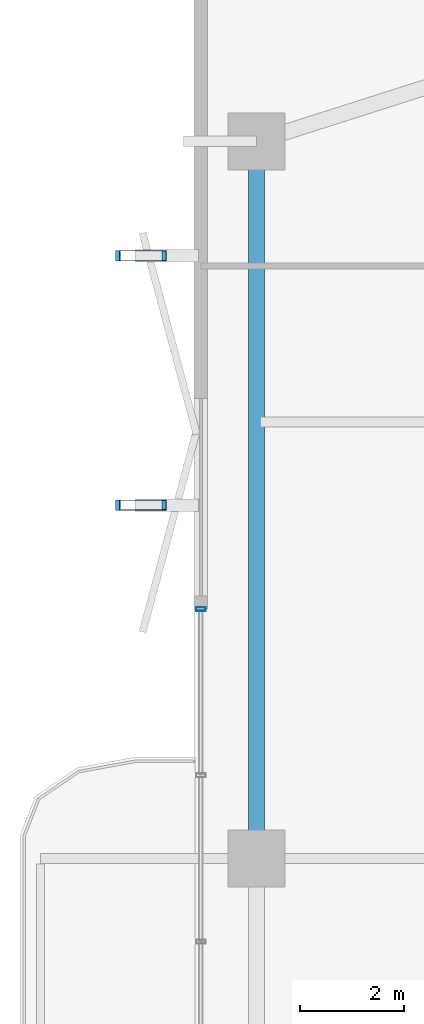
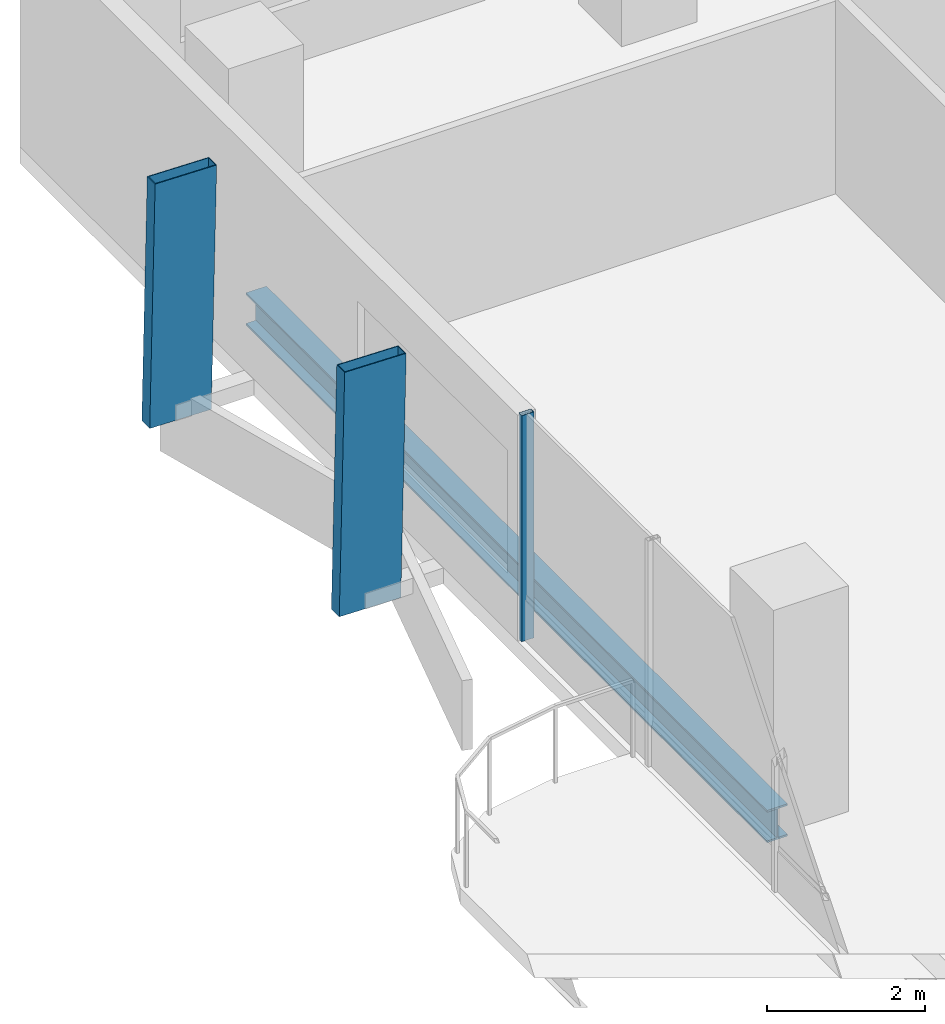
# One storey, part 11 of 24: 3 members, 1 beam, 1 element without a shape of its own.
"""IFC4 building model written with IfcOpenShell, lengths in metres."""

import ifcopenshell
import ifcopenshell.guid

model = None  # the IFC model being written
_history = None  # IfcOwnerHistory: only IFC2X3 demands one
_inside = {}  # id of a spatial element -> (the spatial element, [elements in it])
_under = {}  # id of a project, library or spatial element -> (it, [spatial elements below it])
_declared = {}  # id of a project -> (the project, [libraries it declares])
_typed = {}  # id of a type object -> (the type object, [elements of that type])
_made_of = {}  # id of a material, layer set ... -> (it, [elements and type objects made of it])


def new_model(schema):
    """Start an empty IFC model of exactly this schema.

    Asked for "IFC4X3", IfcOpenShell would pick the latest addendum, in which some entities
    have other attributes; the version numbers below select the first issue.
    IFC2X3 requires an IfcOwnerHistory on every rooted entity: one is made here for all.
    """
    global model, _history
    if schema == "IFC4X3":
        model = ifcopenshell.file(schema_version=(4, 3, 0, 0))
    else:
        model = ifcopenshell.file(schema=schema)
    _inside.clear()
    _under.clear()
    _declared.clear()
    _typed.clear()
    _made_of.clear()
    _history = None
    if model.schema == "IFC2X3":
        org = make("IfcOrganization", Name="unknown")
        user = make(
            "IfcPersonAndOrganization",
            ThePerson=make("IfcPerson", FamilyName="unknown"),
            TheOrganization=org,
        )
        app = make(
            "IfcApplication",
            ApplicationDeveloper=org,
            Version="unknown",
            ApplicationFullName="unknown",
            ApplicationIdentifier="unknown",
        )
        _history = make(
            "IfcOwnerHistory",
            OwningUser=user,
            OwningApplication=app,
            ChangeAction="ADDED",
            CreationDate=0,
        )
    return model


def make(cls, **values):
    """One entity of the class cls with the attributes given. An attribute that is None is left unset."""
    return model.create_entity(
        cls, **{name: value for name, value in values.items() if value is not None}
    )


def rooted(cls, **values):
    """An entity with a GlobalId (a new one), such as an element, a storey or a relation."""
    return make(cls, GlobalId=ifcopenshell.guid.new(), OwnerHistory=_history, **values)


def si_unit(unit_type, name, prefix=None):
    """IfcSIUnit, for example si_unit("LENGTHUNIT", "METRE", prefix="MILLI")."""
    return make("IfcSIUnit", UnitType=unit_type, Prefix=prefix, Name=name)


def assignment(units):
    """IfcUnitAssignment: the units of a project."""
    return None if units is None else make("IfcUnitAssignment", Units=units)


def point(xyz):
    """IfcCartesianPoint."""
    return None if xyz is None else make("IfcCartesianPoint", Coordinates=xyz)


def direction(xyz):
    """IfcDirection."""
    return None if xyz is None else make("IfcDirection", DirectionRatios=xyz)


def frame(location, z_axis=None, x_axis=None):
    """IfcAxis2Placement3D, a coordinate frame: its origin and axes. An axis left out is left unset."""
    return make(
        "IfcAxis2Placement3D",
        Location=point(location),
        Axis=direction(z_axis),
        RefDirection=direction(x_axis),
    )


def frame_2d(location, x_axis=None):
    """IfcAxis2Placement2D, a coordinate frame in the plane: its origin and x axis."""
    return make(
        "IfcAxis2Placement2D", Location=point(location), RefDirection=direction(x_axis)
    )


def origin():
    """The frame at (0, 0, 0) with its axes left unset."""
    return frame((0.0, 0.0, 0.0))


def origin_2d():
    """The frame at (0, 0) in the plane with its x axis left unset."""
    return frame_2d((0.0, 0.0))


def place(relative_to, where):
    """IfcLocalPlacement: puts the frame where relative to a parent placement (None: the world)."""
    return make(
        "IfcLocalPlacement", PlacementRelTo=relative_to, RelativePlacement=where
    )


def context(
    kind, dimensions, precision=None, world=None, true_north=None, identifier=None
):
    """IfcGeometricRepresentationContext, for example the 3D "Model" context."""
    return make(
        "IfcGeometricRepresentationContext",
        ContextIdentifier=identifier,
        ContextType=kind,
        CoordinateSpaceDimension=dimensions,
        Precision=precision,
        WorldCoordinateSystem=world,
        TrueNorth=true_north,
    )


def subcontext(parent, identifier, kind, view, scale=None):
    """IfcGeometricRepresentationSubContext, for example "Body" below "Model"."""
    return make(
        "IfcGeometricRepresentationSubContext",
        ContextIdentifier=identifier,
        ContextType=kind,
        ParentContext=parent,
        TargetScale=scale,
        TargetView=view,
    )


def project(units=None, contexts=None):
    """IfcProject with its units and contexts."""
    return rooted(
        "IfcProject",
        Name="project",
        RepresentationContexts=contexts,
        UnitsInContext=assignment(units),
    )


def spatial(cls, under=None, at=None, **own):
    """A site, building, storey or space (cls), placed at a placement, below another one or the project."""
    s = rooted(cls, ObjectPlacement=at, **own)
    if under is not None:
        _under.setdefault(under.id(), (under, []))[1].append(s)
    return s


def profile(cls, at=None, kind="AREA", **sizes):
    """A parametric profile (cls). Its sizes go by their IFC names, for example OverallWidth=200.0."""
    return make(cls, ProfileType=kind, Position=at, **sizes)


def hollow_rectangle(**sizes):
    """IfcRectangleHollowProfileDef."""
    return profile("IfcRectangleHollowProfileDef", **sizes)


def i_section(**sizes):
    """IfcIShapeProfileDef."""
    return profile("IfcIShapeProfileDef", **sizes)


def extrude(swept, where, along, depth):
    """IfcExtrudedAreaSolid: the profile swept, set in the frame where, extruded along a direction by depth."""
    return make(
        "IfcExtrudedAreaSolid",
        SweptArea=swept,
        Position=where,
        ExtrudedDirection=direction(along),
        Depth=depth,
    )


def shape(context_of_items, identifier, shape_type, items):
    """IfcShapeRepresentation: the items that make up one representation, for example the "Body"."""
    return make(
        "IfcShapeRepresentation",
        ContextOfItems=context_of_items,
        RepresentationIdentifier=identifier,
        RepresentationType=shape_type,
        Items=items,
    )


def material(Name=None, Category=None):
    """IfcMaterial."""
    return make("IfcMaterial", Name=Name, Category=Category)


def layer(
    of_material, thickness, ventilated=None, Name=None, Category=None, Priority=None
):
    """IfcMaterialLayer: one layer of a wall or slab, of a material (None: an air gap)."""
    return make(
        "IfcMaterialLayer",
        Material=of_material,
        LayerThickness=thickness,
        IsVentilated=ventilated,
        Name=Name,
        Category=Category,
        Priority=Priority,
    )


def layer_set(layers, Name=None):
    """IfcMaterialLayerSet."""
    return make("IfcMaterialLayerSet", MaterialLayers=layers, LayerSetName=Name)


def material_profile(
    of_material, cross_section, Name=None, Category=None, Priority=None
):
    """IfcMaterialProfile: a cross section and its material."""
    return make(
        "IfcMaterialProfile",
        Name=Name,
        Material=of_material,
        Profile=cross_section,
        Priority=Priority,
        Category=Category,
    )


def profile_set(profiles, Name=None, composite=None):
    """IfcMaterialProfileSet."""
    return make(
        "IfcMaterialProfileSet",
        Name=Name,
        MaterialProfiles=profiles,
        CompositeProfile=composite,
    )


def made_of(thing, what):
    """Note that an element or type object is made of a material, layer set ...; save() writes the relation."""
    if what is not None:
        _made_of.setdefault(what.id(), (what, []))[1].append(thing)
    return thing


def type_object(cls, material=None, **own):
    """A type object (cls), such as IfcWallType, which elements share."""
    return made_of(rooted(cls, **own), material)


def element(
    cls,
    number,
    at=None,
    inside=None,
    cuts=None,
    type_object=None,
    material=None,
    context=None,
    identifier="Body",
    shape_type=None,
    held_by="IfcProductDefinitionShape",
    body=None,
    shapes=None,
    **own,
):
    """One element of the class cls, such as IfcWall. Its Tag is "e" and its number.

    at: its placement. inside: the storey or other place that contains it. cuts: it is an
    opening in that element (IfcRelVoidsElement). A single representation is given by context,
    identifier, shape_type and body (its items); several are given by shapes. held_by: the class
    of the entity that holds the representations. save() writes the other relations.
    """
    e = rooted(cls, Tag="e%d" % number, ObjectPlacement=at, **own)
    if body is not None:
        shapes = [shape(context, identifier, shape_type, body)]
    if shapes is not None:
        e.Representation = make(held_by, Representations=shapes)
    if inside is not None:
        _inside.setdefault(inside.id(), (inside, []))[1].append(e)
    if cuts is not None:
        rooted(
            "IfcRelVoidsElement", RelatingBuildingElement=cuts, RelatedOpeningElement=e
        )
    if type_object is not None:
        _typed.setdefault(type_object.id(), (type_object, []))[1].append(e)
    return made_of(e, material)


def aggregate(whole, parts):
    """IfcRelAggregates: a whole, such as a stair, and the parts it consists of."""
    return rooted("IfcRelAggregates", RelatingObject=whole, RelatedObjects=parts)


def save(model, path):
    """Write the relations noted so far, then the file.

    IfcRelAggregates (storeys below a building ...), IfcRelContainedInSpatialStructure (elements
    in a storey), IfcRelDefinesByType, IfcRelAssociatesMaterial and IfcRelDeclares: one each for
    every whole, place, type object, material and project.
    """
    for whole, parts in _under.values():
        aggregate(whole, parts)
    for where, things in _inside.values():
        rooted(
            "IfcRelContainedInSpatialStructure",
            RelatedElements=things,
            RelatingStructure=where,
        )
    for kind, things in _typed.values():
        rooted("IfcRelDefinesByType", RelatedObjects=things, RelatingType=kind)
    for what, things in _made_of.values():
        rooted("IfcRelAssociatesMaterial", RelatedObjects=things, RelatingMaterial=what)
    for by, libraries in _declared.values():
        rooted("IfcRelDeclares", RelatingContext=by, RelatedDefinitions=libraries)
    model.write(path)


model = new_model("IFC4")

# Units and contexts
model_context = context("Model", 3, precision=1e-05, world=origin(), true_north=direction((0.0, 1.0)))
body_context = subcontext(model_context, "Body", "Model", "MODEL_VIEW")
ifc_project = project(units=[si_unit("LENGTHUNIT", "METRE"), si_unit("AREAUNIT", "SQUARE_METRE"), si_unit("VOLUMEUNIT", "CUBIC_METRE"), si_unit("PLANEANGLEUNIT", "RADIAN"), si_unit("MASSUNIT", "GRAM", prefix="KILO")], contexts=[model_context])

# Site, building, storey
site_placement = place(None, origin())
site = spatial("IfcSite", under=ifc_project, at=site_placement, CompositionType="ELEMENT")
building_placement = place(site_placement, origin())
building = spatial("IfcBuilding", under=site, at=building_placement, Name="Belovzor Exchange Tower", CompositionType="ELEMENT")
storey_placement = place(building_placement, frame((0.0, 0.0, 168.300048828125)))
storey = spatial("IfcBuildingStorey", under=building, at=storey_placement, Name="L41", CompositionType="ELEMENT", Elevation=168.300048828125)

# Members
ifc_material_1 = material(Name="Extruded Architectural Terracotta on Steel S355 Carrier", Category="masonry")
ifc_material_profile_1 = material_profile(ifc_material_1, hollow_rectangle(XDim=0.199951171875, YDim=0.89990234375, WallThickness=0.011962890625, at=origin_2d()))
ifc_profile_set_1 = profile_set([ifc_material_profile_1], Name="Extruded Architectural Terracotta on Steel S355 Carrier")
member_type_1 = type_object("IfcMemberType", Name="Sweeping Terracotta Baguette Fin Assembly 1250", PredefinedType="USERDEFINED", material=ifc_profile_set_1)
for number, where, z_axis, x_axis, name in (
    (1, (3.43994140625, 35.60009765625, -0.255126953125), (0.021089058773, 0.0, 0.999777601069), (0.0, 1.0, 0.0), "FIN-TC125 Terracotta Facade Fin L41 W3"),
    (2, (3.43994140625, 40.39990234375, -0.255126953125), (0.021089058773, 0.0, 0.999777601069), (0.0, 1.0, 0.0), "FIN-TC125 Terracotta Facade Fin L41 W4"),
):
    element("IfcMember", number, at=place(storey_placement, frame(where, z_axis=z_axis, x_axis=x_axis)), inside=storey, type_object=member_type_1, Name=name, ObjectType="FIN", PredefinedType="USERDEFINED", context=body_context, shape_type="SweptSolid", body=[
        extrude(hollow_rectangle(XDim=0.199951171875, YDim=0.89990234375, WallThickness=0.011962890625, at=origin_2d()), origin(), (0.0, 0.0, 1.0), 3.750732421875),
    ])

# Curtain wall, member
ifc_material_2 = material(Name="Anodised Aluminium Framing", Category="aluminium")
ifc_layer = layer(ifc_material_2, 0.179931640625)
ifc_layer_set = layer_set([ifc_layer], Name="Anodised Aluminium Framing")
curtain_wall_type = type_object("IfcCurtainWallType", Name="Recessed Loggia Low-Iron Triple-Glazed Curtain Wall", PredefinedType="NOTDEFINED", material=ifc_layer_set)
curtain_wall_placement = place(storey_placement, origin())
curtain_wall = element("IfcCurtainWall", 3, at=curtain_wall_placement, inside=storey, type_object=curtain_wall_type, Name="CW3 Recessed Loggia Low-Iron Triple-Glazed Curtain Wall L41", PredefinedType="NOTDEFINED")
ifc_material_3 = material(Name="Steel S355", Category="steel")
ifc_material_profile_2 = material_profile(ifc_material_3, hollow_rectangle(XDim=0.074951171875, YDim=0.179931640625, WallThickness=0.0048828125, at=origin_2d()))
ifc_profile_set_2 = profile_set([ifc_material_profile_2], Name="Steel S355")
member_type_2 = type_object("IfcMemberType", Name="Thermally Broken Curtain Wall Mullion 180x75", PredefinedType="MULLION", material=ifc_profile_set_2)
member_placement = place(storey_placement, frame((4.6298828125, 33.60009765625, 0.0), z_axis=(0.0, 0.0, 1.0), x_axis=(0.0, 1.0, 0.0)))
member = element("IfcMember", 4, at=member_placement, type_object=member_type_2, Name="CW-M180 Curtain Wall Mullion 4", PredefinedType="MULLION", context=body_context, shape_type="SweptSolid", body=[
    extrude(hollow_rectangle(XDim=0.074951171875, YDim=0.179931640625, WallThickness=0.0048828125, at=origin_2d()), origin(), (0.0, 0.0, 1.0), 3.494873046875),
])
aggregate(curtain_wall, [member])

# Beam
ifc_material_4 = material(Name="Steel S355", Category="steel")
ifc_material_profile_3 = material_profile(ifc_material_4, i_section(OverallWidth=0.300048828125, OverallDepth=0.5, WebThickness=0.014404296875, FlangeThickness=0.028076171875, at=origin_2d()))
ifc_profile_set_3 = profile_set([ifc_material_profile_3], Name="Steel S355")
beam_type = type_object("IfcBeamType", Name="Zone 3 Waist Primary Girder HEB 500", PredefinedType="BEAM", material=ifc_profile_set_3)
beam_placement = place(storey_placement, frame((5.699951171875, 42.297119140625, -0.505126953125), z_axis=(0.0, -1.0, 0.0), x_axis=(1.0, 0.0, 0.0)))
element("IfcBeam", 5, at=beam_placement, inside=storey, type_object=beam_type, Name="FG-Z3 Zone 3 Waist Primary Girder HEB 500", PredefinedType="BEAM", context=body_context, shape_type="SweptSolid", body=[
    extrude(i_section(OverallWidth=0.300048828125, OverallDepth=0.5, WebThickness=0.014404296875, FlangeThickness=0.028076171875, at=origin_2d()), origin(), (0.0, 0.0, 1.0), 13.195068359375),
])

save(model, "model.ifc")
